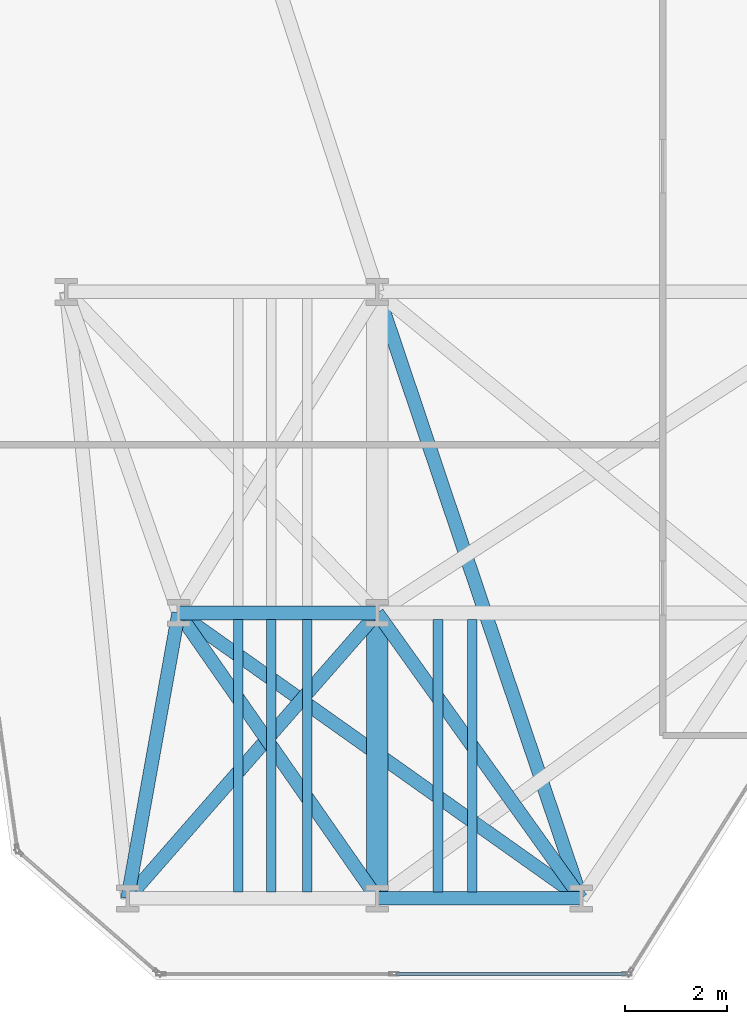
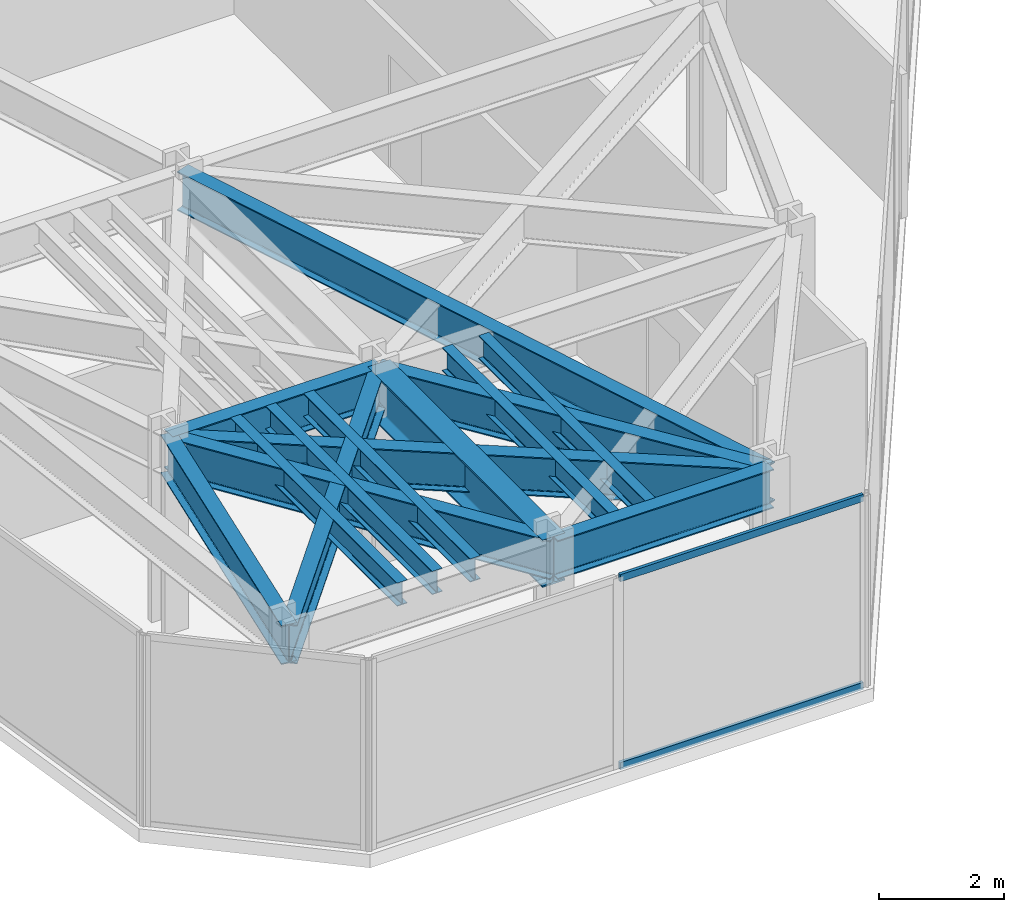
# One storey, part 3 of 25: 14 beams, 2 members, 1 element without a shape of its own.
"""IFC4 building model written with IfcOpenShell, lengths in metres."""

from ifc_helpers import new_model, si_unit, direction, frame, origin, origin_2d, place, context, subcontext, project, spatial, hollow_rectangle, i_section, extrude, material, layer, layer_set, material_profile, profile_set, type_object, element, aggregate, save


model = new_model("IFC4")

# Units and contexts
model_context = context("Model", 3, precision=1e-05, world=origin(), true_north=direction((0.0, 1.0)))
body_context = subcontext(model_context, "Body", "Model", "MODEL_VIEW")
ifc_project = project(units=[si_unit("LENGTHUNIT", "METRE"), si_unit("AREAUNIT", "SQUARE_METRE"), si_unit("VOLUMEUNIT", "CUBIC_METRE"), si_unit("PLANEANGLEUNIT", "RADIAN"), si_unit("MASSUNIT", "GRAM", prefix="KILO")], contexts=[model_context])

# Site, building, storey
site_placement = place(None, origin())
site = spatial("IfcSite", under=ifc_project, at=site_placement, CompositionType="ELEMENT")
building_placement = place(site_placement, origin())
building = spatial("IfcBuilding", under=site, at=building_placement, Name="Kravanh Interchange Tower", CompositionType="ELEMENT")
storey_placement = place(building_placement, frame((0.0, 0.0, 49.5)))
storey = spatial("IfcBuildingStorey", under=building, at=storey_placement, Name="L11", CompositionType="ELEMENT", Elevation=49.5)

# Curtain wall, members
ifc_material_1 = material(Name="Anodised Bronze Aluminium", Category="aluminium")
ifc_layer = layer(ifc_material_1, 0.179931640625)
ifc_layer_set = layer_set([ifc_layer], Name="Unitised Curtain Wall System CW-Z1 Lower Office")
curtain_wall_type = type_object("IfcCurtainWallType", Name="Unitised Curtain Wall System CW-Z1 Lower Office", PredefinedType="NOTDEFINED", material=ifc_layer_set)
curtain_wall_placement = place(storey_placement, origin())
curtain_wall = element("IfcCurtainWall", 1, at=curtain_wall_placement, inside=storey, type_object=curtain_wall_type, Name="L11 Unitised Curtain Wall CW-L11-06", PredefinedType="NOTDEFINED")
ifc_material_2 = material(Name="Anodised Bronze Aluminium", Category="aluminium")
ifc_material_profile_1 = material_profile(ifc_material_2, hollow_rectangle(XDim=0.06005859375, YDim=0.139892578125, WallThickness=0.00390625, at=origin_2d()), Name="ALU60X140X4")
ifc_profile_set_1 = profile_set([ifc_material_profile_1], Name="Anodised Bronze Aluminium")
member_type = type_object("IfcMemberType", Name="Curtain Wall Transom ALU60X140X4 Bronze", PredefinedType="USERDEFINED", material=ifc_profile_set_1)
member_1_placement = place(storey_placement, frame((22.36376953125, 1.1201171875, 0.030029296875), z_axis=(-1.0, 0.0, 0.0), x_axis=(0.0, -1.0, 0.0)))
member_1 = element("IfcMember", 2, at=member_1_placement, type_object=member_type, Name="CW-Z1 transom 1.1", ObjectType="TRANSOM", PredefinedType="USERDEFINED", context=body_context, shape_type="SweptSolid", body=[
    extrude(hollow_rectangle(XDim=0.06005859375, YDim=0.139892578125, WallThickness=0.00390625, at=origin_2d()), origin(), (0.0, 0.0, 1.0), 4.50146484375),
])
member_2_placement = place(storey_placement, frame((22.36376953125, 1.1201171875, 3.7099609375), z_axis=(-1.0, 0.0, 0.0), x_axis=(0.0, -1.0, 0.0)))
member_2 = element("IfcMember", 3, at=member_2_placement, type_object=member_type, Name="CW-Z1 transom 1.2", ObjectType="TRANSOM", PredefinedType="USERDEFINED", context=body_context, shape_type="SweptSolid", body=[
    extrude(hollow_rectangle(XDim=0.06005859375, YDim=0.139892578125, WallThickness=0.00390625, at=origin_2d()), origin(), (0.0, 0.0, 1.0), 4.50146484375),
])
aggregate(curtain_wall, [member_1, member_2])

# Beams
ifc_material_3 = material(Name="Structural Steel S355", Category="steel")
ifc_material_profile_2 = material_profile(ifc_material_3, i_section(OverallWidth=0.41796875, OverallDepth=0.927001953125, WebThickness=0.019287109375, FlangeThickness=0.031982421875, FilletRadius=0.028076171875, at=origin_2d()), Name="W36X231")
ifc_profile_set_2 = profile_set([ifc_material_profile_2], Name="Structural Steel S355")
beam_type_1 = type_object("IfcBeamType", Name="Floor Beam W36X231 Structural Steel S355", PredefinedType="BEAM", material=ifc_profile_set_2)
beam_1_placement = place(storey_placement, frame((17.5, 2.60009765625, 3.276611328125), z_axis=(0.0, 1.0, 0.0), x_axis=(-1.0, 0.0, 0.0)))
element("IfcBeam", 4, at=beam_1_placement, inside=storey, type_object=beam_type_1, Name="L11 Primary Floor Girder 103", PredefinedType="BEAM", context=body_context, shape_type="SweptSolid", body=[
    extrude(i_section(OverallWidth=0.41796875, OverallDepth=0.927001953125, WebThickness=0.019287109375, FlangeThickness=0.031982421875, FilletRadius=0.028076171875, at=origin_2d()), origin(), (0.0, 0.0, 1.0), 5.599853515625),
])
ifc_material_4 = material(Name="Structural Steel S355", Category="steel")
ifc_material_profile_3 = material_profile(ifc_material_4, i_section(OverallWidth=0.18994140625, OverallDepth=0.45703125, WebThickness=0.009033203125, FlangeThickness=0.014404296875, FilletRadius=0.01806640625, at=origin_2d()), Name="W18X50")
ifc_profile_set_3 = profile_set([ifc_material_profile_3], Name="Structural Steel S355")
beam_type_2 = type_object("IfcBeamType", Name="Floor Joist W18X50 Structural Steel S355", PredefinedType="JOIST", material=ifc_profile_set_3)
for number, where, z_axis, x_axis, name in (
    (5, (14.77001953125, 2.728515625, 3.511474609375), (0.0, 1.0, 0.0), (-1.0, 0.0, 0.0), "L11 Secondary Floor Joist 1"),
    (6, (15.419921875, 2.728515625, 3.511474609375), (0.0, 1.0, 0.0), (-1.0, 0.0, 0.0), "L11 Secondary Floor Joist 2"),
    (7, (16.1220703125, 2.728515625, 3.511474609375), (0.0, 1.0, 0.0), (-1.0, 0.0, 0.0), "L11 Secondary Floor Joist 3"),
    (8, (18.68994140625, 2.728515625, 3.511474609375), (0.0, 1.0, 0.0), (-1.0, 0.0, 0.0), "L11 Secondary Floor Joist 4"),
    (9, (19.364990234375, 2.728515625, 3.511474609375), (0.0, 1.0, 0.0), (-1.0, 0.0, 0.0), "L11 Secondary Floor Joist 5"),
):
    element("IfcBeam", number, at=place(storey_placement, frame(where, z_axis=z_axis, x_axis=x_axis)), inside=storey, type_object=beam_type_2, Name=name, PredefinedType="JOIST", context=body_context, shape_type="SweptSolid", body=[
        extrude(i_section(OverallWidth=0.18994140625, OverallDepth=0.45703125, WebThickness=0.009033203125, FlangeThickness=0.014404296875, FilletRadius=0.01806640625, at=origin_2d()), origin(), (0.0, 0.0, 1.0), 5.343017578125),
    ])
ifc_material_5 = material(Name="Structural Steel S355", Category="steel")
ifc_material_profile_4 = material_profile(ifc_material_5, i_section(OverallWidth=0.26708984375, OverallDepth=0.761962890625, WebThickness=0.014404296875, FlangeThickness=0.021484375, FilletRadius=0.02490234375, at=origin_2d()), Name="W30X116")
ifc_profile_set_4 = profile_set([ifc_material_profile_4], Name="Structural Steel S355")
beam_type_3 = type_object("IfcBeamType", Name="Floor Spandrel W30X116 Structural Steel S355", PredefinedType="SPANDREL", material=ifc_profile_set_4)
beam_2_placement = place(storey_placement, frame((12.60009765625, 2.60009765625, 3.35888671875), z_axis=(0.175795094814, 0.984426779725, 0.0), x_axis=(-0.984426779725, 0.175795094814, 0.0)))
element("IfcBeam", 10, at=beam_2_placement, inside=storey, type_object=beam_type_3, Name="L11 Perimeter Spandrel 39", PredefinedType="SPANDREL", context=body_context, shape_type="SweptSolid", body=[
    extrude(i_section(OverallWidth=0.26708984375, OverallDepth=0.761962890625, WebThickness=0.014404296875, FlangeThickness=0.021484375, FilletRadius=0.02490234375, at=origin_2d()), origin(), (0.0, 0.0, 1.0), 5.6884765625),
])
beam_3_placement = place(storey_placement, frame((12.60009765625, 2.60009765625, 3.35888671875), z_axis=(0.658506930733, 0.752574662194, 0.0), x_axis=(-0.752574662194, 0.658506930733, 0.0)))
element("IfcBeam", 11, at=beam_3_placement, inside=storey, type_object=beam_type_3, Name="L11 Perimeter Spandrel 40", PredefinedType="SPANDREL", context=body_context, shape_type="SweptSolid", body=[
    extrude(i_section(OverallWidth=0.26708984375, OverallDepth=0.761962890625, WebThickness=0.014404296875, FlangeThickness=0.021484375, FilletRadius=0.02490234375, at=origin_2d()), origin(), (0.0, 0.0, 1.0), 7.44091796875),
])
beam_4_placement = place(storey_placement, frame((17.5, 2.60009765625, 3.35888671875), z_axis=(1.0, 0.0, 0.0), x_axis=(0.0, 1.0, 0.0)))
element("IfcBeam", 12, at=beam_4_placement, inside=storey, type_object=beam_type_3, Name="L11 Perimeter Spandrel 102", PredefinedType="SPANDREL", context=body_context, shape_type="SweptSolid", body=[
    extrude(i_section(OverallWidth=0.26708984375, OverallDepth=0.761962890625, WebThickness=0.014404296875, FlangeThickness=0.021484375, FilletRadius=0.02490234375, at=origin_2d()), origin(), (0.0, 0.0, 1.0), 4.0),
])
beam_5_placement = place(storey_placement, frame((17.5, 2.60009765625, 3.35888671875), z_axis=(-0.571494183969, 0.820606116045, 0.0), x_axis=(-0.820606116045, -0.571494183969, 0.0)))
element("IfcBeam", 13, at=beam_5_placement, inside=storey, type_object=beam_type_3, Name="L11 Perimeter Spandrel 104", PredefinedType="SPANDREL", context=body_context, shape_type="SweptSolid", body=[
    extrude(i_section(OverallWidth=0.26708984375, OverallDepth=0.761962890625, WebThickness=0.014404296875, FlangeThickness=0.021484375, FilletRadius=0.02490234375, at=origin_2d()), origin(), (0.0, 0.0, 1.0), 6.823974609375),
])
beam_6_placement = place(storey_placement, frame((21.5, 2.60009765625, 3.35888671875), z_axis=(-0.581248261352, 0.813726279946, 0.0), x_axis=(-0.813726279946, -0.581248261352, 0.0)))
element("IfcBeam", 14, at=beam_6_placement, inside=storey, type_object=beam_type_3, Name="L11 Perimeter Spandrel 122", PredefinedType="SPANDREL", context=body_context, shape_type="SweptSolid", body=[
    extrude(i_section(OverallWidth=0.26708984375, OverallDepth=0.761962890625, WebThickness=0.014404296875, FlangeThickness=0.021484375, FilletRadius=0.02490234375, at=origin_2d()), origin(), (0.0, 0.0, 1.0), 6.8818359375),
])
beam_7_placement = place(storey_placement, frame((21.5, 2.60009765625, 3.35888671875), z_axis=(-0.815825239527, 0.578298520274, 0.0), x_axis=(-0.578298520274, -0.815825239527, 0.0)))
element("IfcBeam", 15, at=beam_7_placement, inside=storey, type_object=beam_type_3, Name="L11 Perimeter Spandrel 123", PredefinedType="SPANDREL", context=body_context, shape_type="SweptSolid", body=[
    extrude(i_section(OverallWidth=0.26708984375, OverallDepth=0.761962890625, WebThickness=0.014404296875, FlangeThickness=0.021484375, FilletRadius=0.02490234375, at=origin_2d()), origin(), (0.0, 0.0, 1.0), 9.683349609375),
])
beam_8_placement = place(storey_placement, frame((21.5, 2.60009765625, 3.35888671875), z_axis=(-0.318618734989, 0.947882957814, 0.0), x_axis=(-0.947882957814, -0.318618734989, 0.0)))
element("IfcBeam", 16, at=beam_8_placement, inside=storey, type_object=beam_type_3, Name="L11 Perimeter Spandrel 124", PredefinedType="SPANDREL", context=body_context, shape_type="SweptSolid", body=[
    extrude(i_section(OverallWidth=0.26708984375, OverallDepth=0.761962890625, WebThickness=0.014404296875, FlangeThickness=0.021484375, FilletRadius=0.02490234375, at=origin_2d()), origin(), (0.0, 0.0, 1.0), 12.55419921875),
])
beam_9_placement = place(storey_placement, frame((13.60009765625, 8.199951171875, 3.35888671875), z_axis=(1.0, 0.0, 0.0), x_axis=(0.0, 1.0, 0.0)))
element("IfcBeam", 17, at=beam_9_placement, inside=storey, type_object=beam_type_3, Name="L11 Perimeter Spandrel 133", PredefinedType="SPANDREL", context=body_context, shape_type="SweptSolid", body=[
    extrude(i_section(OverallWidth=0.26708984375, OverallDepth=0.761962890625, WebThickness=0.014404296875, FlangeThickness=0.021484375, FilletRadius=0.02490234375, at=origin_2d()), origin(), (0.0, 0.0, 1.0), 3.89990234375),
])

save(model, "model.ifc")
